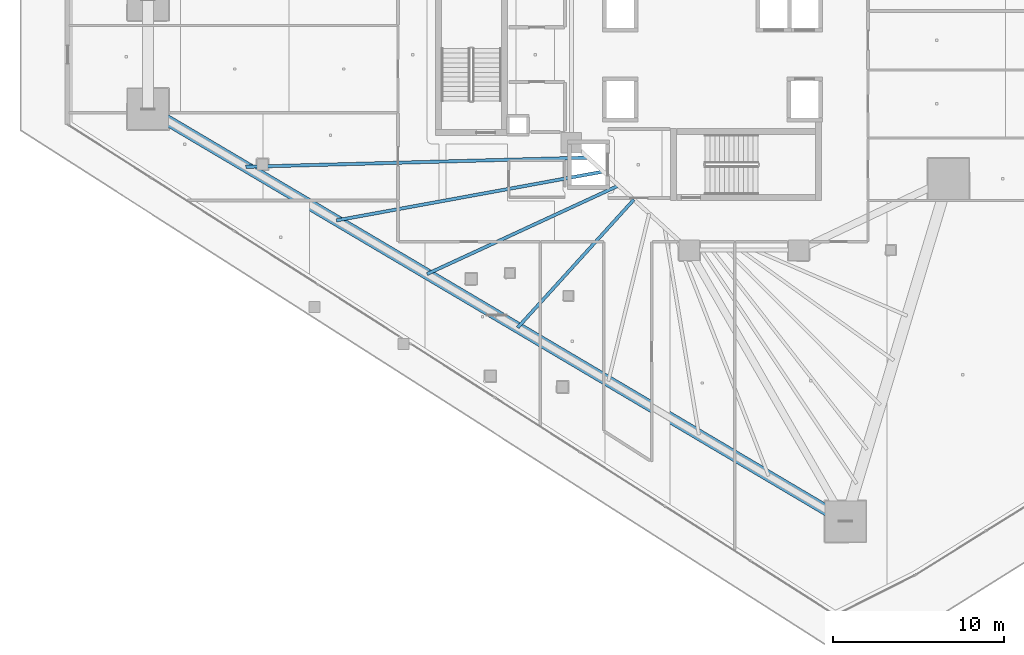
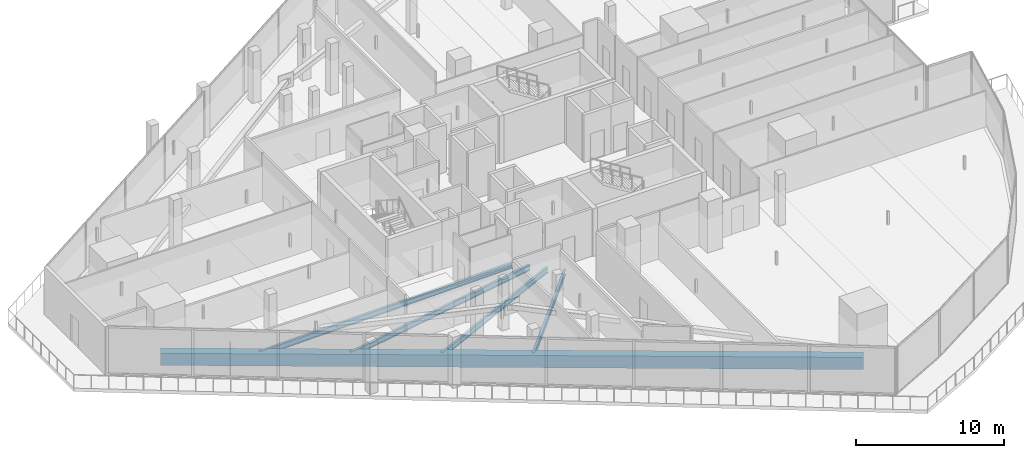
# One storey, part 7 of 52: 5 beams.
"""IFC4 building model written with IfcOpenShell, lengths in metres."""

from ifc_helpers import new_model, si_unit, direction, frame, origin, origin_2d, place, context, subcontext, project, spatial, rectangle, i_section, extrude, material, material_profile, profile_set, type_object, element, save


model = new_model("IFC4")

# Units and contexts
model_context = context("Model", 3, precision=1e-05, world=origin(), true_north=direction((0.0, 1.0)))
body_context = subcontext(model_context, "Body", "Model", "MODEL_VIEW")
ifc_project = project(units=[si_unit("LENGTHUNIT", "METRE"), si_unit("AREAUNIT", "SQUARE_METRE"), si_unit("VOLUMEUNIT", "CUBIC_METRE"), si_unit("PLANEANGLEUNIT", "RADIAN"), si_unit("MASSUNIT", "GRAM", prefix="KILO")], contexts=[model_context])

# Site, building, storey
site_placement = place(None, origin())
site = spatial("IfcSite", under=ifc_project, at=site_placement, CompositionType="ELEMENT")
building_placement = place(site_placement, origin())
building = spatial("IfcBuilding", under=site, at=building_placement, Name="Qorvath Tower", CompositionType="ELEMENT")
storey_placement = place(building_placement, frame((0.0, 0.0, 61.800048828125)))
storey = spatial("IfcBuildingStorey", under=building, at=storey_placement, Name="L13", CompositionType="ELEMENT", Elevation=61.800048828125)

# Beams
ifc_material_1 = material(Name="Steel ASTM A992 Grade 50", Category="steel")
ifc_material_profile_1 = material_profile(ifc_material_1, i_section(OverallWidth=0.18994140625, OverallDepth=0.45703125, WebThickness=0.009033203125, FlangeThickness=0.014404296875, FilletRadius=0.011962890625, at=origin_2d()), Name="W18x50")
ifc_profile_set_1 = profile_set([ifc_material_profile_1], Name="Steel ASTM A992 Grade 50")
beam_type_1 = type_object("IfcBeamType", Name="BM-FJ2", PredefinedType="JOIST", material=ifc_profile_set_1)
beam_1_placement = place(storey_placement, frame((-29.533935546875, -6.031982421875, -0.508544921875), z_axis=(-0.999634925413, -0.02701880631, 0.0), x_axis=(0.02701880631, -0.999634925413, 0.0)))
element("IfcBeam", 1, at=beam_1_placement, inside=storey, type_object=beam_type_1, Name="Composite Floor Joist SW1 L13", PredefinedType="JOIST", context=body_context, shape_type="SweptSolid", body=[
    extrude(i_section(OverallWidth=0.18994140625, OverallDepth=0.45703125, WebThickness=0.009033203125, FlangeThickness=0.014404296875, FilletRadius=0.011962890625, at=origin_2d()), origin(), (0.0, 0.0, 1.0), 20.041748046875),
])
beam_2_placement = place(storey_placement, frame((-28.636962890625, -6.85107421875, -0.508544921875), z_axis=(-0.983656498786, -0.180055248176, 0.0), x_axis=(0.180055248176, -0.983656498786, 0.0)))
element("IfcBeam", 2, at=beam_2_placement, inside=storey, type_object=beam_type_1, Name="Composite Floor Joist SW2 L13", PredefinedType="JOIST", context=body_context, shape_type="SweptSolid", body=[
    extrude(i_section(OverallWidth=0.18994140625, OverallDepth=0.45703125, WebThickness=0.009033203125, FlangeThickness=0.014404296875, FilletRadius=0.011962890625, at=origin_2d()), origin(), (0.0, 0.0, 1.0), 15.884521484375),
])
beam_3_placement = place(storey_placement, frame((-27.739990234375, -7.669921875, -0.508544921875), z_axis=(-0.907881281747, -0.419227358665, 0.0), x_axis=(0.419227358665, -0.907881281747, 0.0)))
element("IfcBeam", 3, at=beam_3_placement, inside=storey, type_object=beam_type_1, Name="Composite Floor Joist SW3 L13", PredefinedType="JOIST", context=body_context, shape_type="SweptSolid", body=[
    extrude(i_section(OverallWidth=0.18994140625, OverallDepth=0.45703125, WebThickness=0.009033203125, FlangeThickness=0.014404296875, FilletRadius=0.011962890625, at=origin_2d()), origin(), (0.0, 0.0, 1.0), 12.353515625),
])
beam_4_placement = place(storey_placement, frame((-26.843017578125, -8.489013671875, -0.508544921875), z_axis=(-0.672128980215, -0.740434084815, 0.0), x_axis=(0.740434084815, -0.672128980215, 0.0)))
element("IfcBeam", 4, at=beam_4_placement, inside=storey, type_object=beam_type_1, Name="Composite Floor Joist SW4 L13", PredefinedType="JOIST", context=body_context, shape_type="SweptSolid", body=[
    extrude(i_section(OverallWidth=0.18994140625, OverallDepth=0.45703125, WebThickness=0.009033203125, FlangeThickness=0.014404296875, FilletRadius=0.011962890625, at=origin_2d()), origin(), (0.0, 0.0, 1.0), 10.1259765625),
])
ifc_material_2 = material(Name="Concrete C50/60", Category="concrete")
ifc_material_profile_2 = material_profile(ifc_material_2, rectangle(XDim=0.64990234375, YDim=1.0, at=origin_2d()), Name="RCB 1000x650")
ifc_profile_set_2 = profile_set([ifc_material_profile_2], Name="Concrete C50/60")
beam_type_2 = type_object("IfcBeamType", Name="BM-RCB1", PredefinedType="SPANDREL", material=ifc_profile_set_2)
beam_5_placement = place(storey_placement, frame((-55.282958984375, -3.194580078125, -0.780029296875), z_axis=(0.860777360917, -0.508981664633, 0.0), x_axis=(0.508981664633, 0.860777360917, 0.0)))
element("IfcBeam", 5, at=beam_5_placement, inside=storey, type_object=beam_type_2, Name="Perimeter Loggia Frame Beam MC2-MC3 L13", PredefinedType="SPANDREL", context=body_context, shape_type="SweptSolid", body=[
    extrude(rectangle(XDim=0.64990234375, YDim=1.0, at=origin_2d()), origin(), (0.0, 0.0, 1.0), 47.420654296875),
])

save(model, "model.ifc")
